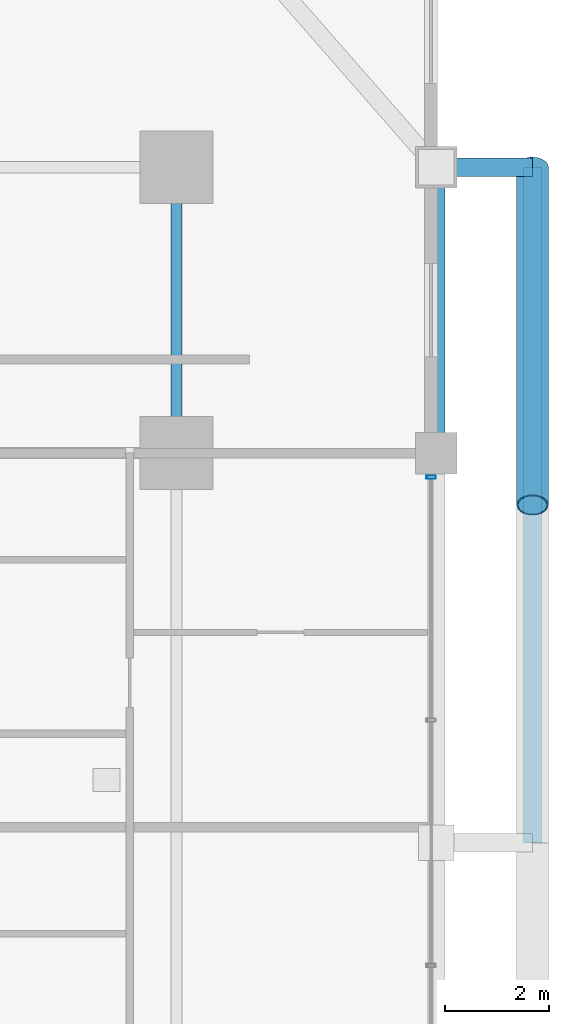
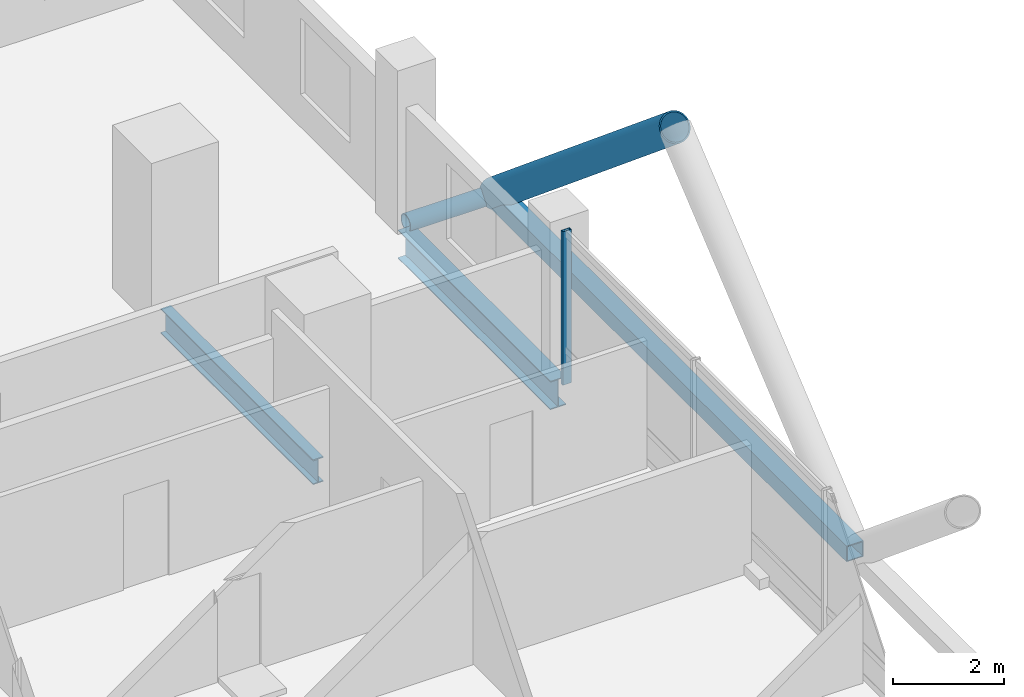
# One storey, part 19 of 27: 4 members, 2 beams, 1 element without a shape of its own.
"""IFC4 building model written with IfcOpenShell, lengths in metres."""

from ifc_helpers import new_model, si_unit, direction, frame, origin, origin_2d, place, context, subcontext, project, spatial, hollow_rectangle, hollow_circle, i_section, extrude, material, layer, layer_set, material_profile, profile_set, type_object, element, aggregate, save


model = new_model("IFC4")

# Units and contexts
model_context = context("Model", 3, precision=1e-05, world=origin(), true_north=direction((0.0, 1.0)))
body_context = subcontext(model_context, "Body", "Model", "MODEL_VIEW")
ifc_project = project(units=[si_unit("LENGTHUNIT", "METRE"), si_unit("AREAUNIT", "SQUARE_METRE"), si_unit("VOLUMEUNIT", "CUBIC_METRE"), si_unit("PLANEANGLEUNIT", "RADIAN"), si_unit("MASSUNIT", "GRAM", prefix="KILO")], contexts=[model_context])

# Site, building, storey
site_placement = place(None, origin())
site = spatial("IfcSite", under=ifc_project, at=site_placement, CompositionType="ELEMENT")
building_placement = place(site_placement, origin())
building = spatial("IfcBuilding", under=site, at=building_placement, Name="Barlavira Tower and Art Museum", CompositionType="ELEMENT")
storey_placement = place(building_placement, frame((0.0, 0.0, 72.0)))
storey = spatial("IfcBuildingStorey", under=building, at=storey_placement, Name="L17", CompositionType="ELEMENT", Elevation=72.0)

# Curtain wall, member
ifc_material_1 = material(Name="Low-iron coastal laminated glass", Category="glass")
ifc_layer = layer(ifc_material_1, 0.179931640625, Name="Low-iron coastal laminated glass")
ifc_layer_set = layer_set([ifc_layer], Name="Low-iron coastal laminated glass")
curtain_wall_type = type_object("IfcCurtainWallType", Name="Pale-Metal Unitised Curtain Wall Zone 1", PredefinedType="NOTDEFINED", material=ifc_layer_set)
curtain_wall_placement = place(storey_placement, origin())
curtain_wall = element("IfcCurtainWall", 1, at=curtain_wall_placement, inside=storey, type_object=curtain_wall_type, Name="L17 Curtain Wall CW1-L17-E-B3", PredefinedType="NOTDEFINED")
ifc_material_2 = material(Name="Pale anodised aluminium", Category="aluminium")
ifc_material_profile_1 = material_profile(ifc_material_2, hollow_rectangle(XDim=0.06494140625, YDim=0.179931640625, WallThickness=0.00390625, at=origin_2d()), Name="ALU-MULL 65x180x4")
ifc_profile_set_1 = profile_set([ifc_material_profile_1], Name="Pale anodised aluminium")
member_type_1 = type_object("IfcMemberType", Name="Curtain Wall Pale-Metal Mullion 65x180", PredefinedType="MULLION", material=ifc_profile_set_1)
member_1_placement = place(storey_placement, frame((21.89990234375, 7.034912109375, 0.0), z_axis=(0.0, 0.0, 1.0), x_axis=(0.0, 1.0, 0.0)))
member_1 = element("IfcMember", 2, at=member_1_placement, type_object=member_type_1, Name="CW1-L17-E-B3 Mullion 3", PredefinedType="MULLION", context=body_context, shape_type="SweptSolid", body=[
    extrude(hollow_rectangle(XDim=0.06494140625, YDim=0.179931640625, WallThickness=0.00390625, at=origin_2d()), origin(), (0.0, 0.0, 1.0), 3.3798828125),
])
aggregate(curtain_wall, [member_1])

# Members
ifc_material_3 = material(Name="Steel S355", Category="steel")
ifc_material_profile_2 = material_profile(ifc_material_3, hollow_circle(Radius=0.304931640625, WallThickness=0.028076171875, at=origin_2d()), Name="CHS 610.0x28.0")
ifc_profile_set_2 = profile_set([ifc_material_profile_2], Name="Steel S355")
member_type_2 = type_object("IfcMemberType", Name="Pale-Metal Exoskeleton Diagrid Tube CHS 610x28 Steel S355", PredefinedType="BRACE", material=ifc_profile_set_2)
member_2_placement = place(storey_placement, frame((23.85009765625, 13.0, -0.1201171875), z_axis=(0.0, -0.76918185268, 0.639029950399), x_axis=(1.0, 0.0, 0.0)))
element("IfcMember", 3, at=member_2_placement, inside=storey, type_object=member_type_2, Name="L17 Exoskeleton Diagrid Tube E", PredefinedType="BRACE", context=body_context, shape_type="SweptSolid", body=[
    extrude(hollow_circle(Radius=0.304931640625, WallThickness=0.028076171875, at=origin_2d()), origin(), (0.0, 0.0, 1.0), 8.450439453125),
])
ifc_material_profile_3 = material_profile(ifc_material_3, hollow_rectangle(XDim=0.35009765625, YDim=0.35009765625, WallThickness=0.02001953125, at=origin_2d()), Name="SHS 350x350x20.0")
ifc_profile_set_3 = profile_set([ifc_material_profile_3], Name="Steel S355")
member_type_3 = type_object("IfcMemberType", Name="Pale-Metal Exoskeleton Ring Strut SHS 350x350x20 Steel S355", PredefinedType="STRUT", material=ifc_profile_set_3)
member_3_placement = place(storey_placement, frame((23.85009765625, 0.0, -0.1201171875), z_axis=(0.0, 1.0, 0.0), x_axis=(-1.0, 0.0, 0.0)))
element("IfcMember", 4, at=member_3_placement, inside=storey, type_object=member_type_3, Name="L17 Exoskeleton Ring Strut E", PredefinedType="STRUT", context=body_context, shape_type="SweptSolid", body=[
    extrude(hollow_rectangle(XDim=0.35009765625, YDim=0.35009765625, WallThickness=0.02001953125, at=origin_2d()), origin(), (0.0, 0.0, 1.0), 13.0),
])
ifc_material_profile_4 = material_profile(ifc_material_3, hollow_circle(Radius=0.177734375, WallThickness=0.01611328125, at=origin_2d()), Name="CHS 355.6x16.0")
ifc_profile_set_4 = profile_set([ifc_material_profile_4], Name="Steel S355")
member_type_4 = type_object("IfcMemberType", Name="Pale-Metal Exoskeleton Tie Strut CHS 356x16 Steel S355", PredefinedType="STRUT", material=ifc_profile_set_4)
member_4_placement = place(storey_placement, frame((23.85009765625, 13.0, -0.1201171875), z_axis=(-1.0, 0.0, 0.0), x_axis=(0.0, -1.0, 0.0)))
element("IfcMember", 5, at=member_4_placement, inside=storey, type_object=member_type_4, Name="L17 Exoskeleton Tie Strut E3", PredefinedType="STRUT", context=body_context, shape_type="SweptSolid", body=[
    extrude(hollow_circle(Radius=0.177734375, WallThickness=0.01611328125, at=origin_2d()), origin(), (0.0, 0.0, 1.0), 1.85009765625),
])

# Beams
ifc_material_profile_5 = material_profile(ifc_material_3, i_section(OverallWidth=0.327880859375, OverallDepth=0.62890625, WebThickness=0.013916015625, FlangeThickness=0.021484375, at=origin_2d()), Name="W610x174.0")
ifc_profile_set_5 = profile_set([ifc_material_profile_5], Name="Steel S355")
beam_type_1 = type_object("IfcBeamType", Name="Perimeter Spandrel Edge Beam W610x174 Steel S355", PredefinedType="SPANDREL", material=ifc_profile_set_5)
beam_1_placement = place(storey_placement, frame((22.0, 7.5, -0.534423828125), z_axis=(0.0, 1.0, 0.0), x_axis=(-1.0, 0.0, 0.0)))
element("IfcBeam", 6, at=beam_1_placement, inside=storey, type_object=beam_type_1, Name="L17 Spandrel 7", PredefinedType="SPANDREL", context=body_context, shape_type="SweptSolid", body=[
    extrude(i_section(OverallWidth=0.327880859375, OverallDepth=0.62890625, WebThickness=0.013916015625, FlangeThickness=0.021484375, at=origin_2d()), origin(), (0.0, 0.0, 1.0), 5.5),
])
ifc_material_profile_6 = material_profile(ifc_material_3, i_section(OverallWidth=0.214111328125, OverallDepth=0.549072265625, WebThickness=0.0146484375, FlangeThickness=0.023681640625, at=origin_2d()), Name="W530x138.0")
ifc_profile_set_6 = profile_set([ifc_material_profile_6], Name="Steel S355")
beam_type_2 = type_object("IfcBeamType", Name="Zone 1 Primary Floor Girder W530x138 Steel S355", PredefinedType="BEAM", material=ifc_profile_set_6)
beam_2_placement = place(storey_placement, frame((17.0, 7.5, -0.494384765625), z_axis=(0.0, 1.0, 0.0), x_axis=(-1.0, 0.0, 0.0)))
element("IfcBeam", 7, at=beam_2_placement, inside=storey, type_object=beam_type_2, Name="L17 Girder M-E3", PredefinedType="BEAM", context=body_context, shape_type="SweptSolid", body=[
    extrude(i_section(OverallWidth=0.214111328125, OverallDepth=0.549072265625, WebThickness=0.0146484375, FlangeThickness=0.023681640625, at=origin_2d()), origin(), (0.0, 0.0, 1.0), 5.5),
])

save(model, "model.ifc")
